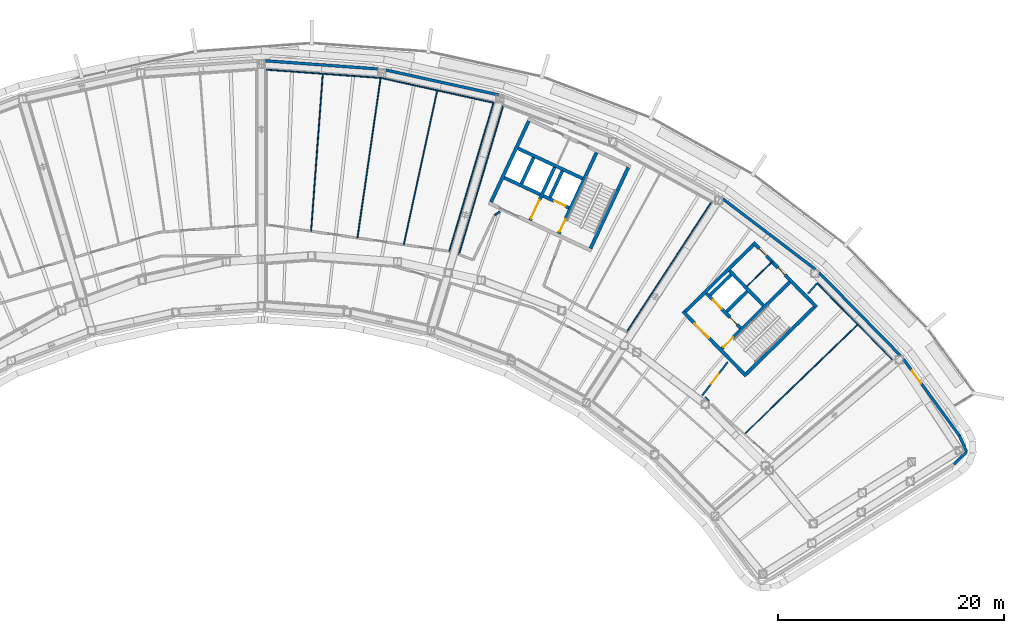
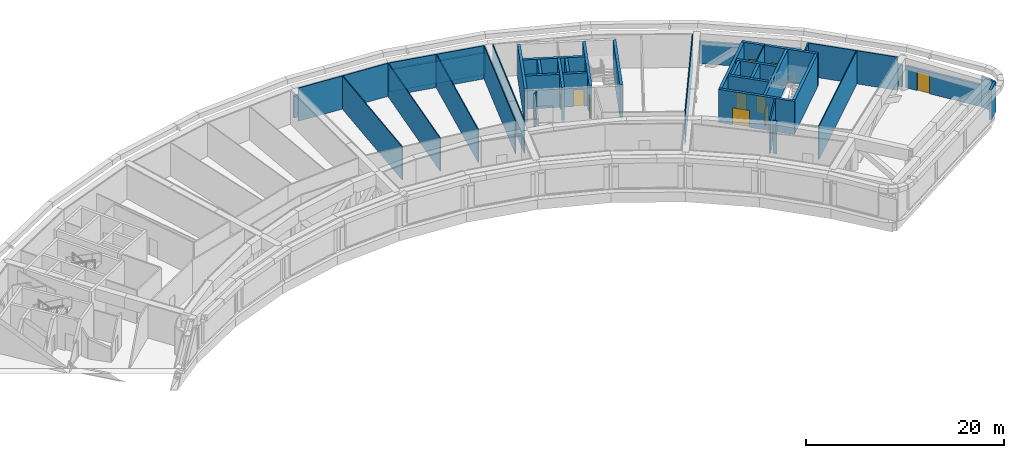
# One storey, part 11 of 25: 40 walls, 11 doors, 11 openings.
"""IFC4 building model written with IfcOpenShell, lengths in metres."""

from ifc_helpers import new_model, si_unit, direction, frame, frame_2d, origin, place, context, subcontext, project, spatial, rectangle, extrude, material, layer, layer_set, type_object, element, fill, save


model = new_model("IFC4")

# Units and contexts
model_context = context("Model", 3, precision=1e-05, world=origin(), true_north=direction((0.0, 1.0)))
body_context = subcontext(model_context, "Body", "Model", "MODEL_VIEW")
ifc_project = project(units=[si_unit("LENGTHUNIT", "METRE"), si_unit("AREAUNIT", "SQUARE_METRE"), si_unit("VOLUMEUNIT", "CUBIC_METRE"), si_unit("PLANEANGLEUNIT", "RADIAN"), si_unit("MASSUNIT", "GRAM", prefix="KILO")], contexts=[model_context])

# Site, building, storey
site_placement = place(None, origin())
site = spatial("IfcSite", under=ifc_project, at=site_placement, CompositionType="ELEMENT")
building_placement = place(site_placement, origin())
building = spatial("IfcBuilding", under=site, at=building_placement, Name="Tuul Gate Civic Tower", CompositionType="ELEMENT")
storey_placement = place(building_placement, frame((0.0, 0.0, 133.699951171875)))
storey = spatial("IfcBuildingStorey", under=building, at=storey_placement, Name="Plant and refuge floor 4", CompositionType="ELEMENT", Elevation=133.699951171875)

# Wall, opening, door
ifc_material_1 = material(Name="Concrete C50/60", Category="concrete")
ifc_layer_1 = layer(ifc_material_1, 0.300048828125)
ifc_layer_set_1 = layer_set([ifc_layer_1], Name="Concrete C50/60")
wall_type_1 = type_object("IfcWallType", Name="Core wall C50/60", PredefinedType="SHEAR", material=ifc_layer_set_1)
wall_1_placement = place(storey_placement, frame((48.22509765625, -18.327880859375, 0.0), z_axis=(0.0, 0.0, 1.0), x_axis=(-0.700021979774, 0.714121297703, 0.0)))
wall_1 = element("IfcWall", 1, at=wall_1_placement, inside=storey, type_object=wall_type_1, Name="Core wall", PredefinedType="SHEAR", context=body_context, shape_type="SweptSolid", body=[
    extrude(rectangle(XDim=8.0, YDim=0.300048828125, at=frame_2d((4.0, 0.0))), origin(), (0.0, 0.0, 1.0), 4.10009765625),
])
opening_1_placement = place(wall_1_placement, frame((4.72509765625, 0.0, 0.0)))
opening_1 = element("IfcOpeningElement", 2, at=opening_1_placement, cuts=wall_1, Name="Opening LB-E1-LOBBY-1", PredefinedType="OPENING", context=body_context, shape_type="SweptSolid", body=[
    extrude(rectangle(XDim=1.800048828125, YDim=2.10009765625, at=frame_2d((0.89990234375, 1.050048828125))), frame((0.0, 0.16015625, 0.0), z_axis=(0.0, -1.0, 0.0), x_axis=(1.0, 0.0, 0.0)), (0.0, 0.0, 1.0), 0.320068359375),
])
ifc_material_2 = material(Name="Steel", Category="steel")
door_type_1 = type_object("IfcDoorType", Name="Lobby door", OperationType="DOUBLE_DOOR_SINGLE_SWING", PredefinedType="DOOR", material=ifc_material_2)
door_1_placement = place(opening_1_placement, frame((1.800048828125, 0.0, 0.0), z_axis=(0.0, 0.0, 1.0), x_axis=(-1.0, 0.0, 0.0)))
door_1 = element("IfcDoor", 3, at=door_1_placement, inside=storey, type_object=door_type_1, Name="Lobby door E1-LOBBY", OperationType="DOUBLE_DOOR_SINGLE_SWING", OverallHeight=2.10009765625, OverallWidth=1.800048828125, PredefinedType="DOOR", context=body_context, shape_type="SweptSolid", body=[
    extrude(rectangle(XDim=1.800048828125, YDim=2.10009765625, at=frame_2d((0.900146484375, 1.050048828125))), frame((0.0, 0.02490234375, 0.0), z_axis=(0.0, -1.0, 0.0), x_axis=(1.0, 0.0, 0.0)), (0.0, 0.0, 1.0), 0.050048828125),
])
fill(opening_1, door_1)

# Wall, openings, doors
wall_2_placement = place(storey_placement, frame((47.701904296875, -14.079833984375, 0.0), z_axis=(0.0, 0.0, 1.0), x_axis=(-0.700002721075, 0.714140175657, 0.0)))
wall_2 = element("IfcWall", 4, at=wall_2_placement, inside=storey, type_object=wall_type_1, Name="Core wall", PredefinedType="SHEAR", context=body_context, shape_type="SweptSolid", body=[
    extrude(rectangle(XDim=4.300048828125, YDim=0.300048828125, at=frame_2d((2.14990234375, 0.0))), origin(), (0.0, 0.0, 1.0), 4.10009765625),
])
opening_2_placement = place(wall_2_placement, frame((0.425048828125, 0.0, 0.0)))
opening_2 = element("IfcOpeningElement", 5, at=opening_2_placement, cuts=wall_2, Name="Opening FB-E1A1", PredefinedType="OPENING", context=body_context, shape_type="SweptSolid", body=[
    extrude(rectangle(XDim=0.89990234375, YDim=2.10009765625, at=frame_2d((0.449951171875, 1.050048828125))), frame((0.0, 0.16015625, 0.0), z_axis=(0.0, -1.0, 0.0), x_axis=(1.0, 0.0, 0.0)), (0.0, 0.0, 1.0), 0.320068359375),
])
opening_3_placement = place(wall_2_placement, frame((2.375, 0.0, 0.0)))
opening_3 = element("IfcOpeningElement", 6, at=opening_3_placement, cuts=wall_2, Name="Opening LD-M3", PredefinedType="OPENING", context=body_context, shape_type="SweptSolid", body=[
    extrude(rectangle(XDim=1.10009765625, YDim=2.10009765625, at=frame_2d((0.550048828125, 1.050048828125))), frame((0.0, 0.16015625, 0.0), z_axis=(0.0, -1.0, 0.0), x_axis=(1.0, 0.0, 0.0)), (0.0, 0.0, 1.0), 0.320068359375),
])
ifc_material_3 = material(Name="Stainless steel", Category="steel")
door_type_2 = type_object("IfcDoorType", Name="Landing door", OperationType="DOUBLE_DOOR_SLIDING", PredefinedType="DOOR", material=ifc_material_3)
door_2_placement = place(opening_3_placement, origin())
door_2 = element("IfcDoor", 7, at=door_2_placement, inside=storey, type_object=door_type_2, Name="Mid-rise lift M3 landing door", OperationType="DOUBLE_DOOR_SLIDING", OverallHeight=2.10009765625, OverallWidth=1.10009765625, PredefinedType="DOOR", context=body_context, shape_type="SweptSolid", body=[
    extrude(rectangle(XDim=1.10009765625, YDim=2.10009765625, at=frame_2d((0.550048828125, 1.050048828125))), frame((0.0, 0.02490234375, 0.0), z_axis=(0.0, -1.0, 0.0), x_axis=(1.0, 0.0, 0.0)), (0.0, 0.0, 1.0), 0.050048828125),
])
fill(opening_3, door_2)
ifc_material_4 = material(Name="Steel", Category="steel")
door_type_3 = type_object("IfcDoorType", Name="Store door", OperationType="NOTDEFINED", PredefinedType="DOOR", material=ifc_material_4)
door_3_placement = place(opening_2_placement, frame((0.89990234375, 0.0, 0.0), z_axis=(0.0, 0.0, 1.0), x_axis=(-1.0, 0.0, 0.0)))
door_3 = element("IfcDoor", 8, at=door_3_placement, inside=storey, type_object=door_type_3, Name="Store door E1A1", OperationType="SINGLE_SWING_RIGHT", OverallHeight=2.10009765625, OverallWidth=0.89990234375, PredefinedType="DOOR", context=body_context, shape_type="SweptSolid", body=[
    extrude(rectangle(XDim=0.89990234375, YDim=2.10009765625, at=frame_2d((0.449951171875, 1.050048828125))), frame((0.0, 0.02490234375, 0.0), z_axis=(0.0, -1.0, 0.0), x_axis=(1.0, 0.0, 0.0)), (0.0, 0.0, 1.0), 0.050048828125),
])
fill(opening_2, door_3)

# Wall
wall_3_placement = place(storey_placement, frame((49.737060546875, -12.0849609375, 0.0), z_axis=(0.0, 0.0, 1.0), x_axis=(-0.700002721075, 0.714140175657, 0.0)))
element("IfcWall", 9, at=wall_3_placement, inside=storey, type_object=wall_type_1, Name="Core wall", PredefinedType="SHEAR", context=body_context, shape_type="SweptSolid", body=[
    extrude(rectangle(XDim=4.300048828125, YDim=0.300048828125, at=frame_2d((2.14990234375, 0.0))), origin(), (0.0, 0.0, 1.0), 4.10009765625),
])

# Wall, openings, doors
wall_4_placement = place(storey_placement, frame((54.43798828125, -12.23779296875, 0.0), z_axis=(0.0, 0.0, 1.0), x_axis=(-0.700021979774, 0.714121297703, 0.0)))
wall_4 = element("IfcWall", 10, at=wall_4_placement, inside=storey, type_object=wall_type_1, Name="Core wall", PredefinedType="SHEAR", context=body_context, shape_type="SweptSolid", body=[
    extrude(rectangle(XDim=8.0, YDim=0.300048828125, at=frame_2d((4.0, 0.0))), origin(), (0.0, 0.0, 1.0), 4.10009765625),
])
opening_4_placement = place(wall_4_placement, frame((3.987548828125, 0.0, 0.0)))
opening_4 = element("IfcOpeningElement", 11, at=opening_4_placement, cuts=wall_4, Name="Opening PB-D28", PredefinedType="OPENING", context=body_context, shape_type="SweptSolid", body=[
    extrude(rectangle(XDim=0.89990234375, YDim=2.10009765625, at=frame_2d((0.449951171875, 1.050048828125))), frame((0.0, 0.16015625, 0.0), z_axis=(0.0, -1.0, 0.0), x_axis=(1.0, 0.0, 0.0)), (0.0, 0.0, 1.0), 0.320068359375),
])
opening_5_placement = place(wall_4_placement, frame((6.362548828125, 0.0, 0.0)))
opening_5 = element("IfcOpeningElement", 12, at=opening_5_placement, cuts=wall_4, Name="Opening PB-D29", PredefinedType="OPENING", context=body_context, shape_type="SweptSolid", body=[
    extrude(rectangle(XDim=0.89990234375, YDim=2.10009765625, at=frame_2d((0.449951171875, 1.050048828125))), frame((0.0, 0.16015625, 0.0), z_axis=(0.0, -1.0, 0.0), x_axis=(1.0, 0.0, 0.0)), (0.0, 0.0, 1.0), 0.320068359375),
])
ifc_material_5 = material(Name="Timber door leaf", Category="wood")
door_type_4 = type_object("IfcDoorType", Name="Door D09", OperationType="NOTDEFINED", PredefinedType="DOOR", material=ifc_material_5)
door_4_placement = place(opening_4_placement, origin())
door_4 = element("IfcDoor", 13, at=door_4_placement, inside=storey, type_object=door_type_4, Name="Door PB-D28", OperationType="SINGLE_SWING_LEFT", OverallHeight=2.10009765625, OverallWidth=0.89990234375, PredefinedType="DOOR", context=body_context, shape_type="SweptSolid", body=[
    extrude(rectangle(XDim=0.89990234375, YDim=2.10009765625, at=frame_2d((0.449951171875, 1.050048828125))), frame((0.0, 0.02490234375, 0.0), z_axis=(0.0, -1.0, 0.0), x_axis=(1.0, 0.0, 0.0)), (0.0, 0.0, 1.0), 0.050048828125),
])
fill(opening_4, door_4)
door_5_placement = place(opening_5_placement, origin())
door_5 = element("IfcDoor", 14, at=door_5_placement, inside=storey, type_object=door_type_4, Name="Door PB-D29", OperationType="SINGLE_SWING_LEFT", OverallHeight=2.10009765625, OverallWidth=0.89990234375, PredefinedType="DOOR", context=body_context, shape_type="SweptSolid", body=[
    extrude(rectangle(XDim=0.89990234375, YDim=2.10009765625, at=frame_2d((0.449951171875, 1.050048828125))), frame((0.0, 0.02490234375, 0.0), z_axis=(0.0, -1.0, 0.0), x_axis=(1.0, 0.0, 0.0)), (0.0, 0.0, 1.0), 0.050048828125),
])
fill(opening_5, door_5)

# Wall
wall_5_placement = place(storey_placement, frame((48.227294921875, -18.115966796875, 0.0), z_axis=(0.0, 0.0, 1.0), x_axis=(0.714105315431, 0.700038283577, 0.0)))
element("IfcWall", 15, at=wall_5_placement, inside=storey, type_object=wall_type_1, Name="Core wall", PredefinedType="SHEAR", context=body_context, shape_type="SweptSolid", body=[
    extrude(rectangle(XDim=8.400146484375, YDim=0.300048828125, at=frame_2d((4.2001953125, 0.0))), origin(), (0.0, 0.0, 1.0), 4.10009765625),
])

# Wall, opening, door
wall_6_placement = place(storey_placement, frame((46.05712890625, -15.902099609375, 0.0), z_axis=(0.0, 0.0, 1.0), x_axis=(0.714134086973, 0.700008932674, 0.0)))
wall_6 = element("IfcWall", 16, at=wall_6_placement, inside=storey, type_object=wall_type_1, Name="Core wall", PredefinedType="SHEAR", context=body_context, shape_type="SweptSolid", body=[
    extrude(rectangle(XDim=8.400146484375, YDim=0.300048828125, at=frame_2d((4.2001953125, 0.0))), origin(), (0.0, 0.0, 1.0), 4.10009765625),
])
opening_6_placement = place(wall_6_placement, frame((0.199951171875, 0.0, 0.0)))
opening_6 = element("IfcOpeningElement", 17, at=opening_6_placement, cuts=wall_6, Name="Opening SD-ST-3", PredefinedType="OPENING", context=body_context, shape_type="SweptSolid", body=[
    extrude(rectangle(XDim=1.199951171875, YDim=2.10009765625, at=frame_2d((0.60009765625, 1.050048828125))), frame((0.0, 0.16015625, 0.0), z_axis=(0.0, -1.0, 0.0), x_axis=(1.0, 0.0, 0.0)), (0.0, 0.0, 1.0), 0.320068359375),
])
ifc_material_6 = material(Name="Steel", Category="steel")
door_type_5 = type_object("IfcDoorType", Name="Stair door", OperationType="NOTDEFINED", PredefinedType="DOOR", material=ifc_material_6)
door_6_placement = place(opening_6_placement, origin())
door_6 = element("IfcDoor", 18, at=door_6_placement, inside=storey, type_object=door_type_5, Name="Stair door ST-3", OperationType="SINGLE_SWING_LEFT", OverallHeight=2.10009765625, OverallWidth=1.199951171875, PredefinedType="DOOR", context=body_context, shape_type="SweptSolid", body=[
    extrude(rectangle(XDim=1.199951171875, YDim=2.10009765625, at=frame_2d((0.60009765625, 1.050048828125))), frame((0.0, 0.02490234375, 0.0), z_axis=(0.0, -1.0, 0.0), x_axis=(1.0, 0.0, 0.0)), (0.0, 0.0, 1.0), 0.050048828125),
])
fill(opening_6, door_6)

# Walls
wall_7_placement = place(storey_placement, frame((46.47900390625, -12.617919921875, 0.0), z_axis=(0.0, 0.0, 1.0), x_axis=(0.71410944159, 0.700034074479, 0.0)))
element("IfcWall", 19, at=wall_7_placement, inside=storey, type_object=wall_type_1, Name="Core wall", PredefinedType="SHEAR", context=body_context, shape_type="SweptSolid", body=[
    extrude(rectangle(XDim=2.5498046875, YDim=0.300048828125, at=frame_2d((1.27490234375, 0.0))), origin(), (0.0, 0.0, 1.0), 4.10009765625),
])
wall_8_placement = place(storey_placement, frame((45.0439453125, -11.154052734375, 0.0), z_axis=(0.0, 0.0, 1.0), x_axis=(0.714108498262, 0.700035036773, 0.0)))
element("IfcWall", 20, at=wall_8_placement, inside=storey, type_object=wall_type_1, Name="Core wall", PredefinedType="SHEAR", context=body_context, shape_type="SweptSolid", body=[
    extrude(rectangle(XDim=2.550048828125, YDim=0.300048828125, at=frame_2d((1.27490234375, 0.0))), origin(), (0.0, 0.0, 1.0), 4.10009765625),
])
wall_9_placement = place(storey_placement, frame((42.837158203125, -12.616943359375, 0.0), z_axis=(0.0, 0.0, 1.0), x_axis=(0.714119844755, 0.700023461983, 0.0)))
element("IfcWall", 21, at=wall_9_placement, inside=storey, type_object=wall_type_1, Name="Core wall", PredefinedType="SHEAR", context=body_context, shape_type="SweptSolid", body=[
    extrude(rectangle(XDim=8.39990234375, YDim=0.300048828125, at=frame_2d((4.199951171875, 0.0))), origin(), (0.0, 0.0, 1.0), 4.10009765625),
])

# Wall, opening, door
wall_10_placement = place(storey_placement, frame((32.545654296875, -3.456787109375, 0.0), z_axis=(0.0, 0.0, 1.0), x_axis=(-0.906300357825, 0.42263419337, 0.0)))
wall_10 = element("IfcWall", 22, at=wall_10_placement, inside=storey, type_object=wall_type_1, Name="Core wall", PredefinedType="SHEAR", context=body_context, shape_type="SweptSolid", body=[
    extrude(rectangle(XDim=2.500244140625, YDim=0.300048828125, at=frame_2d((1.25, 0.0))), origin(), (0.0, 0.0, 1.0), 4.10009765625),
])
opening_7_placement = place(wall_10_placement, frame((0.324951171875, 0.0, 0.0)))
opening_7 = element("IfcOpeningElement", 23, at=opening_7_placement, cuts=wall_10, Name="Opening LD-FF-2", PredefinedType="OPENING", context=body_context, shape_type="SweptSolid", body=[
    extrude(rectangle(XDim=1.10009765625, YDim=2.10009765625, at=frame_2d((0.550048828125, 1.050048828125))), frame((0.0, 0.16015625, 0.0), z_axis=(0.0, -1.0, 0.0), x_axis=(1.0, 0.0, 0.0)), (0.0, 0.0, 1.0), 0.320068359375),
])
door_7_placement = place(opening_7_placement, origin())
door_7 = element("IfcDoor", 24, at=door_7_placement, inside=storey, type_object=door_type_2, Name="Fire-fighting lift FF-2 landing door", OperationType="DOUBLE_DOOR_SLIDING", OverallHeight=2.10009765625, OverallWidth=1.10009765625, PredefinedType="DOOR", context=body_context, shape_type="SweptSolid", body=[
    extrude(rectangle(XDim=1.10009765625, YDim=2.10009765625, at=frame_2d((0.550048828125, 1.050048828125))), frame((0.0, 0.02490234375, 0.0), z_axis=(0.0, -1.0, 0.0), x_axis=(1.0, 0.0, 0.0)), (0.0, 0.0, 1.0), 0.050048828125),
])
fill(opening_7, door_7)

# Walls
wall_11_placement = place(storey_placement, frame((30.0078125, -2.2734375, 0.0), z_axis=(0.0, 0.0, 1.0), x_axis=(-0.90630071767, 0.422633421716, 0.0)))
element("IfcWall", 25, at=wall_11_placement, inside=storey, type_object=wall_type_1, Name="Core wall", PredefinedType="SHEAR", context=body_context, shape_type="SweptSolid", body=[
    extrude(rectangle(XDim=3.5, YDim=0.300048828125, at=frame_2d((1.75, 0.0))), origin(), (0.0, 0.0, 1.0), 4.10009765625),
])
wall_12_placement = place(storey_placement, frame((33.75, -0.873779296875, 0.0), z_axis=(0.0, 0.0, 1.0), x_axis=(-0.906300917592, 0.422632992999, 0.0)))
element("IfcWall", 26, at=wall_12_placement, inside=storey, type_object=wall_type_1, Name="Core wall", PredefinedType="SHEAR", context=body_context, shape_type="SweptSolid", body=[
    extrude(rectangle(XDim=6.300048828125, YDim=0.300048828125, at=frame_2d((3.14990234375, 0.0))), origin(), (0.0, 0.0, 1.0), 4.10009765625),
])
wall_13_placement = place(storey_placement, frame((34.455810546875, -7.05078125, 0.0), z_axis=(0.0, 0.0, 1.0), x_axis=(0.422570768258, 0.906329932096, 0.0)))
element("IfcWall", 27, at=wall_13_placement, inside=storey, type_object=wall_type_1, Name="Core wall", PredefinedType="SHEAR", context=body_context, shape_type="SweptSolid", body=[
    extrude(rectangle(XDim=7.900146484375, YDim=0.300048828125, at=frame_2d((3.9501953125, 0.0))), origin(), (0.0, 0.0, 1.0), 4.10009765625),
])

# Wall, opening, door
wall_14_placement = place(storey_placement, frame((31.646240234375, -5.740478515625, 0.0), z_axis=(0.0, 0.0, 1.0), x_axis=(0.422582604137, 0.906324413596, 0.0)))
wall_14 = element("IfcWall", 28, at=wall_14_placement, inside=storey, type_object=wall_type_1, Name="Core wall", PredefinedType="SHEAR", context=body_context, shape_type="SweptSolid", body=[
    extrude(rectangle(XDim=7.89990234375, YDim=0.300048828125, at=frame_2d((3.949951171875, 0.0))), origin(), (0.0, 0.0, 1.0), 4.10009765625),
])
opening_8_placement = place(wall_14_placement, frame((0.199951171875, 0.0, 0.0)))
opening_8 = element("IfcOpeningElement", 29, at=opening_8_placement, cuts=wall_14, Name="Opening SD-ST-4", PredefinedType="OPENING", context=body_context, shape_type="SweptSolid", body=[
    extrude(rectangle(XDim=1.199951171875, YDim=2.10009765625, at=frame_2d((0.60009765625, 1.050048828125))), frame((0.0, 0.16015625, 0.0), z_axis=(0.0, -1.0, 0.0), x_axis=(1.0, 0.0, 0.0)), (0.0, 0.0, 1.0), 0.320068359375),
])
door_8_placement = place(opening_8_placement, origin())
door_8 = element("IfcDoor", 30, at=door_8_placement, inside=storey, type_object=door_type_5, Name="Stair door ST-4", OperationType="SINGLE_SWING_LEFT", OverallHeight=2.10009765625, OverallWidth=1.199951171875, PredefinedType="DOOR", context=body_context, shape_type="SweptSolid", body=[
    extrude(rectangle(XDim=1.199951171875, YDim=2.10009765625, at=frame_2d((0.60009765625, 1.050048828125))), frame((0.0, 0.02490234375, 0.0), z_axis=(0.0, -1.0, 0.0), x_axis=(1.0, 0.0, 0.0)), (0.0, 0.0, 1.0), 0.050048828125),
])
fill(opening_8, door_8)

# Wall
wall_15_placement = place(storey_placement, frame((30.886962890625, -2.517822265625, 0.0), z_axis=(0.0, 0.0, 1.0), x_axis=(0.422612891016, 0.906310291427, 0.0)))
element("IfcWall", 31, at=wall_15_placement, inside=storey, type_object=wall_type_1, Name="Core wall", PredefinedType="SHEAR", context=body_context, shape_type="SweptSolid", body=[
    extrude(rectangle(XDim=2.550048828125, YDim=0.300048828125, at=frame_2d((1.27490234375, 0.0))), origin(), (0.0, 0.0, 1.0), 4.10009765625),
])

# Wall, opening, door
wall_16_placement = place(storey_placement, frame((29.108642578125, -4.557373046875, 0.0), z_axis=(0.0, 0.0, 1.0), x_axis=(0.422566235356, 0.90633204552, 0.0)))
wall_16 = element("IfcWall", 32, at=wall_16_placement, inside=storey, type_object=wall_type_1, Name="Core wall", PredefinedType="SHEAR", context=body_context, shape_type="SweptSolid", body=[
    extrude(rectangle(XDim=5.150146484375, YDim=0.300048828125, at=frame_2d((2.5751953125, 0.0))), origin(), (0.0, 0.0, 1.0), 4.10009765625),
])
opening_9_placement = place(wall_16_placement, frame((0.175048828125, 0.0, 0.0)))
opening_9 = element("IfcOpeningElement", 33, at=opening_9_placement, cuts=wall_16, Name="Opening LB-E3-FLOBBY-1", PredefinedType="OPENING", context=body_context, shape_type="SweptSolid", body=[
    extrude(rectangle(XDim=1.800048828125, YDim=2.10009765625, at=frame_2d((0.89990234375, 1.050048828125))), frame((0.0, 0.16015625, 0.0), z_axis=(0.0, -1.0, 0.0), x_axis=(1.0, 0.0, 0.0)), (0.0, 0.0, 1.0), 0.320068359375),
])
door_9_placement = place(opening_9_placement, frame((1.800048828125, 0.0, 0.0), z_axis=(0.0, 0.0, 1.0), x_axis=(-1.0, 0.0, 0.0)))
door_9 = element("IfcDoor", 34, at=door_9_placement, inside=storey, type_object=door_type_1, Name="Lobby door E3-FLOBBY", OperationType="DOUBLE_DOOR_SINGLE_SWING", OverallHeight=2.10009765625, OverallWidth=1.800048828125, PredefinedType="DOOR", context=body_context, shape_type="SweptSolid", body=[
    extrude(rectangle(XDim=1.800048828125, YDim=2.10009765625, at=frame_2d((0.900146484375, 1.050048828125))), frame((0.0, 0.02490234375, 0.0), z_axis=(0.0, -1.0, 0.0), x_axis=(1.0, 0.0, 0.0)), (0.0, 0.0, 1.0), 0.050048828125),
])
fill(opening_9, door_9)

# Walls
wall_17_placement = place(storey_placement, frame((28.349365234375, -1.33447265625, 0.0), z_axis=(0.0, 0.0, 1.0), x_axis=(0.422612891016, 0.906310291427, 0.0)))
element("IfcWall", 35, at=wall_17_placement, inside=storey, type_object=wall_type_1, Name="Core wall", PredefinedType="SHEAR", context=body_context, shape_type="SweptSolid", body=[
    extrude(rectangle(XDim=2.550048828125, YDim=0.300048828125, at=frame_2d((1.27490234375, 0.0))), origin(), (0.0, 0.0, 1.0), 4.10009765625),
])
wall_18_placement = place(storey_placement, frame((25.66455078125, -2.951416015625, 0.0), z_axis=(0.0, 0.0, 1.0), x_axis=(0.422582604137, 0.906324413596, 0.0)))
element("IfcWall", 36, at=wall_18_placement, inside=storey, type_object=wall_type_1, Name="Core wall", PredefinedType="SHEAR", context=body_context, shape_type="SweptSolid", body=[
    extrude(rectangle(XDim=7.89990234375, YDim=0.300048828125, at=frame_2d((3.949951171875, 0.0))), origin(), (0.0, 0.0, 1.0), 4.10009765625),
])

# Wall, opening, door
ifc_material_7 = material(Name="Gypsum board partition")
ifc_layer_2 = layer(ifc_material_7, 0.14990234375)
ifc_layer_set_2 = layer_set([ifc_layer_2], Name="Gypsum board partition")
wall_type_2 = type_object("IfcWallType", Name="Corridor wall P150", PredefinedType="PARTITIONING", material=ifc_layer_set_2)
wall_19_placement = place(storey_placement, frame((44.32275390625, -20.04345703125, 0.0), z_axis=(0.0, 0.0, 1.0), x_axis=(0.605593087365, 0.795774473413, 0.0)))
wall_19 = element("IfcWall", 37, at=wall_19_placement, inside=storey, type_object=wall_type_2, Name="p024", PredefinedType="PARTITIONING", context=body_context, shape_type="SweptSolid", body=[
    extrude(rectangle(XDim=3.7265625, YDim=0.14990234375, at=frame_2d((1.86328125, 0.0))), origin(), (0.0, 0.0, 1.0), 4.10009765625),
])
opening_10_placement = place(wall_19_placement, frame((1.313232421875, 0.0, 0.0)))
opening_10 = element("IfcOpeningElement", 38, at=opening_10_placement, cuts=wall_19, Name="Opening PB-D051", PredefinedType="OPENING", context=body_context, shape_type="SweptSolid", body=[
    extrude(rectangle(XDim=1.10009765625, YDim=2.10009765625, at=frame_2d((0.550048828125, 1.050048828125))), frame((0.0, 0.0849609375, 0.0), z_axis=(0.0, -1.0, 0.0), x_axis=(1.0, 0.0, 0.0)), (0.0, 0.0, 1.0), 0.169921875),
])
ifc_material_8 = material(Name="Timber door leaf", Category="wood")
door_type_6 = type_object("IfcDoorType", Name="Door D11", OperationType="NOTDEFINED", PredefinedType="DOOR", material=ifc_material_8)
door_10_placement = place(opening_10_placement, frame((1.10009765625, 0.0, 0.0), z_axis=(0.0, 0.0, 1.0), x_axis=(-1.0, 0.0, 0.0)))
door_10 = element("IfcDoor", 39, at=door_10_placement, inside=storey, type_object=door_type_6, Name="Door PB-D05", OperationType="SINGLE_SWING_LEFT", OverallHeight=2.10009765625, OverallWidth=1.10009765625, PredefinedType="DOOR", context=body_context, shape_type="SweptSolid", body=[
    extrude(rectangle(XDim=1.10009765625, YDim=2.10009765625, at=frame_2d((0.550048828125, 1.050048828125))), frame((0.0, 0.02490234375, 0.0), z_axis=(0.0, -1.0, 0.0), x_axis=(1.0, 0.0, 0.0)), (0.0, 0.0, 1.0), 0.050048828125),
])
fill(opening_10, door_10)

# Walls
wall_20_placement = place(storey_placement, frame((53.67138671875, -11.02734375, 0.0), z_axis=(0.0, 0.0, 1.0), x_axis=(0.669086430859, 0.743184598898, 0.0)))
element("IfcWall", 40, at=wall_20_placement, inside=storey, type_object=wall_type_2, Name="p025", PredefinedType="PARTITIONING", context=body_context, shape_type="SweptSolid", body=[
    extrude(rectangle(XDim=1.218994140625, YDim=0.14990234375, at=frame_2d((0.609375, 0.0))), origin(), (0.0, 0.0, 1.0), 4.10009765625),
])
wall_21_placement = place(storey_placement, frame((25.985595703125, -4.103515625, 0.0), z_axis=(0.0, 0.0, 1.0), x_axis=(0.823679447838, 0.56705570027, 0.0)))
element("IfcWall", 41, at=wall_21_placement, inside=storey, type_object=wall_type_2, Name="p032", PredefinedType="PARTITIONING", context=body_context, shape_type="SweptSolid", body=[
    extrude(rectangle(XDim=0.53076171875, YDim=0.14990234375, at=frame_2d((0.265380859375, 0.0))), origin(), (0.0, 0.0, 1.0), 4.10009765625),
])
ifc_material_9 = material(Name="Precast concrete C40/50", Category="concrete")
ifc_layer_3 = layer(ifc_material_9, 0.25)
ifc_layer_set_3 = layer_set([ifc_layer_3], Name="Precast concrete C40/50")
wall_type_3 = type_object("IfcWallType", Name="External wall", PredefinedType="STANDARD", material=ifc_layer_set_3)
wall_22_placement = place(storey_placement, frame((66.564453125, -26.109619140625, 0.0), z_axis=(0.0, 0.0, 1.0), x_axis=(0.722237038237, 0.691645617783, 0.0)))
element("IfcWall", 42, at=wall_22_placement, inside=storey, type_object=wall_type_3, Name="External wall", PredefinedType="STANDARD", context=body_context, shape_type="SweptSolid", body=[
    extrude(rectangle(XDim=1.572265625, YDim=0.25, at=frame_2d((0.7861328125, 0.0))), origin(), (0.0, 0.0, 1.0), 3.75),
])
wall_23_placement = place(storey_placement, frame((67.699951171875, -25.022216796875, 0.0), z_axis=(0.0, 0.0, 1.0), x_axis=(-0.413521925612, 0.910494160903, 0.0)))
element("IfcWall", 43, at=wall_23_placement, inside=storey, type_object=wall_type_3, Name="External wall", PredefinedType="STANDARD", context=body_context, shape_type="SweptSolid", body=[
    extrude(rectangle(XDim=1.571044921875, YDim=0.25, at=frame_2d((0.78564453125, 0.0))), origin(), (0.0, 0.0, 1.0), 3.75),
])

# Wall, opening, door
ifc_material_10 = material(Name="Precast concrete C40/50", Category="concrete")
ifc_layer_4 = layer(ifc_material_10, 0.25)
ifc_layer_set_4 = layer_set([ifc_layer_4], Name="Precast concrete C40/50")
wall_type_4 = type_object("IfcWallType", Name="External wall 2700 HIGH", PredefinedType="STANDARD", material=ifc_layer_set_4)
wall_24_placement = place(storey_placement, frame((67.06298828125, -23.61376953125, 0.0), z_axis=(0.0, 0.0, 1.0), x_axis=(-0.589761454052, 0.807577505453, 0.0)))
wall_24 = element("IfcWall", 44, at=wall_24_placement, inside=storey, type_object=wall_type_4, Name="External wall", PredefinedType="STANDARD", context=body_context, shape_type="SweptSolid", body=[
    extrude(rectangle(XDim=8.422119140625, YDim=0.25, at=frame_2d((4.2109375, 0.0))), origin(), (0.0, 0.0, 1.0), 2.699951171875),
])
opening_11_placement = place(wall_24_placement, frame((5.752685546875, 0.0, 0.0)))
opening_11 = element("IfcOpeningElement", 45, at=opening_11_placement, cuts=wall_24, Name="Opening TD", PredefinedType="OPENING", context=body_context, shape_type="SweptSolid", body=[
    extrude(rectangle(XDim=1.39990234375, YDim=2.39990234375, at=frame_2d((0.699951171875, 1.199951171875))), frame((0.0, 0.135009765625, 0.0), z_axis=(0.0, -1.0, 0.0), x_axis=(1.0, 0.0, 0.0)), (0.0, 0.0, 1.0), 0.27001953125),
])
ifc_material_11 = material(Name="Glazed aluminium", Category="aluminium")
door_type_7 = type_object("IfcDoorType", Name="Terrace door", OperationType="DOUBLE_DOOR_SINGLE_SWING", PredefinedType="DOOR", material=ifc_material_11)
door_11_placement = place(opening_11_placement, origin())
door_11 = element("IfcDoor", 46, at=door_11_placement, inside=storey, type_object=door_type_7, Name="Terrace door", OperationType="DOUBLE_DOOR_SINGLE_SWING", OverallHeight=2.39990234375, OverallWidth=1.39990234375, PredefinedType="DOOR", context=body_context, shape_type="SweptSolid", body=[
    extrude(rectangle(XDim=1.39990234375, YDim=2.39990234375, at=frame_2d((0.699951171875, 1.199951171875))), frame((0.0, 0.02490234375, 0.0), z_axis=(0.0, -1.0, 0.0), x_axis=(1.0, 0.0, 0.0)), (0.0, 0.0, 1.0), 0.050048828125),
])
fill(opening_11, door_11)

# Walls
wall_25_placement = place(storey_placement, frame((61.858154296875, -16.533935546875, 0.0), z_axis=(0.0, 0.0, 1.0), x_axis=(-0.700045198442, 0.714098536715, 0.0)))
element("IfcWall", 47, at=wall_25_placement, inside=storey, type_object=wall_type_4, Name="External wall", PredefinedType="STANDARD", context=body_context, shape_type="SweptSolid", body=[
    extrude(rectangle(XDim=10.336669921875, YDim=0.25, at=frame_2d((5.16845703125, 0.0))), origin(), (0.0, 0.0, 1.0), 2.699951171875),
])
wall_26_placement = place(storey_placement, frame((54.347900390625, -8.908935546875, 0.0), z_axis=(0.0, 0.0, 1.0), x_axis=(-0.795610108216, 0.605809009264, 0.0)))
element("IfcWall", 48, at=wall_26_placement, inside=storey, type_object=wall_type_4, Name="External wall", PredefinedType="STANDARD", context=body_context, shape_type="SweptSolid", body=[
    extrude(rectangle(XDim=10.334228515625, YDim=0.25, at=frame_2d((5.1669921875, 0.0))), origin(), (0.0, 0.0, 1.0), 2.699951171875),
])
wall_27_placement = place(storey_placement, frame((26.374755859375, 6.511962890625, 0.0), z_axis=(0.0, 0.0, 1.0), x_axis=(-0.976563060816, 0.215231475971, 0.0)))
element("IfcWall", 49, at=wall_27_placement, inside=storey, type_object=wall_type_4, Name="External wall", PredefinedType="STANDARD", context=body_context, shape_type="SweptSolid", body=[
    extrude(rectangle(XDim=10.24169921875, YDim=0.25, at=frame_2d((5.120849609375, 0.0))), origin(), (0.0, 0.0, 1.0), 2.699951171875),
])
wall_28_placement = place(storey_placement, frame((15.69677734375, 8.81005859375, 0.0), z_axis=(0.0, 0.0, 1.0), x_axis=(-0.99738831502, 0.072225681449, 0.0)))
element("IfcWall", 50, at=wall_28_placement, inside=storey, type_object=wall_type_4, Name="External wall", PredefinedType="STANDARD", context=body_context, shape_type="SweptSolid", body=[
    extrude(rectangle(XDim=9.998779296875, YDim=0.25, at=frame_2d((4.99951171875, 0.0))), origin(), (0.0, 0.0, 1.0), 2.699951171875),
])
ifc_material_12 = material(Name="Gypsum board partition")
ifc_layer_5 = layer(ifc_material_12, 0.10009765625)
ifc_layer_set_5 = layer_set([ifc_layer_5], Name="Gypsum board partition")
wall_type_5 = type_object("IfcWallType", Name="Partition P100", PredefinedType="PARTITIONING", material=ifc_layer_set_5)
wall_29_placement = place(storey_placement, frame((48.05419921875, -23.451171875, 0.0), z_axis=(0.0, 0.0, 1.0), x_axis=(0.719341643854, 0.694656461438, 0.0)))
element("IfcWall", 51, at=wall_29_placement, inside=storey, type_object=wall_type_5, Name="p022", PredefinedType="PARTITIONING", context=body_context, shape_type="SweptSolid", body=[
    extrude(rectangle(XDim=13.92529296875, YDim=0.10009765625, at=frame_2d((6.962646484375, 0.0))), origin(), (0.0, 0.0, 1.0), 4.10009765625),
])
wall_30_placement = place(storey_placement, frame((17.956787109375, -6.714111328125, 0.0), z_axis=(0.0, 0.0, 1.0), x_axis=(0.212181190615, 0.977230342524, 0.0)))
element("IfcWall", 52, at=wall_30_placement, inside=storey, type_object=wall_type_5, Name="p037", PredefinedType="PARTITIONING", context=body_context, shape_type="SweptSolid", body=[
    extrude(rectangle(XDim=13.952392578125, YDim=0.10009765625, at=frame_2d((6.97607421875, 0.0))), origin(), (0.0, 0.0, 1.0), 4.10009765625),
])
wall_31_placement = place(storey_placement, frame((13.86279296875, -6.11962890625, 0.0), z_axis=(0.0, 0.0, 1.0), x_axis=(0.143500398539, 0.989650259243, 0.0)))
element("IfcWall", 53, at=wall_31_placement, inside=storey, type_object=wall_type_5, Name="p039", PredefinedType="PARTITIONING", context=body_context, shape_type="SweptSolid", body=[
    extrude(rectangle(XDim=14.284423828125, YDim=0.10009765625, at=frame_2d((7.14208984375, 0.0))), origin(), (0.0, 0.0, 1.0), 4.10009765625),
])
wall_32_placement = place(storey_placement, frame((9.76904296875, -5.525146484375, 0.0), z_axis=(0.0, 0.0, 1.0), x_axis=(0.074113415526, 0.997249819072, 0.0)))
element("IfcWall", 54, at=wall_32_placement, inside=storey, type_object=wall_type_5, Name="p040", PredefinedType="PARTITIONING", context=body_context, shape_type="SweptSolid", body=[
    extrude(rectangle(XDim=13.95068359375, YDim=0.10009765625, at=frame_2d((6.975341796875, 0.0))), origin(), (0.0, 0.0, 1.0), 4.10009765625),
])
wall_33_placement = place(storey_placement, frame((54.487060546875, -10.121337890625, 0.0), z_axis=(0.0, 0.0, 1.0), x_axis=(0.700001237304, -0.714141630052, 0.0)))
element("IfcWall", 55, at=wall_33_placement, inside=storey, type_object=wall_type_5, Name="p067", PredefinedType="PARTITIONING", context=body_context, shape_type="SweptSolid", body=[
    extrude(rectangle(XDim=9.427001953125, YDim=0.10009765625, at=frame_2d((4.71337890625, 0.0))), origin(), (0.0, 0.0, 1.0), 4.10009765625),
])
wall_34_placement = place(storey_placement, frame((44.89453125, -20.478759765625, 0.0), z_axis=(0.0, 0.0, 1.0), x_axis=(-0.700053868945, 0.714090036743, 0.0)))
element("IfcWall", 56, at=wall_34_placement, inside=storey, type_object=wall_type_5, Name="p069", PredefinedType="PARTITIONING", context=body_context, shape_type="SweptSolid", body=[
    extrude(rectangle(XDim=0.41748046875, YDim=0.10009765625, at=frame_2d((0.208740234375, 0.0))), origin(), (0.0, 0.0, 1.0), 4.10009765625),
])
wall_35_placement = place(storey_placement, frame((45.134765625, -2.9501953125, 0.0), z_axis=(0.0, 0.0, 1.0), x_axis=(-0.546716228444, -0.837317959652, 0.0)))
element("IfcWall", 57, at=wall_35_placement, inside=storey, type_object=wall_type_5, Name="p078", PredefinedType="PARTITIONING", context=body_context, shape_type="SweptSolid", body=[
    extrude(rectangle(XDim=13.6982421875, YDim=0.10009765625, at=frame_2d((6.84912109375, 0.0))), origin(), (0.0, 0.0, 1.0), 4.10009765625),
])
wall_36_placement = place(storey_placement, frame((22.828125, -7.5908203125, 0.0), z_axis=(0.0, 0.0, 1.0), x_axis=(0.285208678076, 0.958465445361, 0.0)))
element("IfcWall", 58, at=wall_36_placement, inside=storey, type_object=wall_type_5, Name="p079", PredefinedType="PARTITIONING", context=body_context, shape_type="SweptSolid", body=[
    extrude(rectangle(XDim=13.731201171875, YDim=0.10009765625, at=frame_2d((6.86572265625, 0.0))), origin(), (0.0, 0.0, 1.0), 4.10009765625),
])
wall_37_placement = place(storey_placement, frame((15.9580078125, 8.013427734375, 0.0), z_axis=(0.0, 0.0, 1.0), x_axis=(0.97657049866, -0.215197725699, 0.0)))
element("IfcWall", 59, at=wall_37_placement, inside=storey, type_object=wall_type_5, Name="p087", PredefinedType="PARTITIONING", context=body_context, shape_type="SweptSolid", body=[
    extrude(rectangle(XDim=10.16162109375, YDim=0.10009765625, at=frame_2d((5.080810546875, 0.0))), origin(), (0.0, 0.0, 1.0), 4.10009765625),
])
wall_38_placement = place(storey_placement, frame((25.881591796875, 5.82666015625, 0.0), z_axis=(0.0, 0.0, 1.0), x_axis=(-0.285197829206, -0.958468673571, 0.0)))
element("IfcWall", 60, at=wall_38_placement, inside=storey, type_object=wall_type_5, Name="p088", PredefinedType="PARTITIONING", context=body_context, shape_type="SweptSolid", body=[
    extrude(rectangle(XDim=13.693115234375, YDim=0.10009765625, at=frame_2d((6.8466796875, 0.0))), origin(), (0.0, 0.0, 1.0), 4.10009765625),
])
wall_39_placement = place(storey_placement, frame((5.823974609375, 8.748291015625, 0.0), z_axis=(0.0, 0.0, 1.0), x_axis=(0.997382046776, -0.072312189631, 0.0)))
element("IfcWall", 61, at=wall_39_placement, inside=storey, type_object=wall_type_5, Name="p090", PredefinedType="PARTITIONING", context=body_context, shape_type="SweptSolid", body=[
    extrude(rectangle(XDim=10.114990234375, YDim=0.10009765625, at=frame_2d((5.0576171875, 0.0))), origin(), (0.0, 0.0, 1.0), 4.10009765625),
])
wall_40_placement = place(storey_placement, frame((48.28662109375, -10.390869140625, 0.0), z_axis=(0.0, 0.0, 1.0), x_axis=(0.714159293908, 0.699983216173, 0.0)))
element("IfcWall", 62, at=wall_40_placement, inside=storey, type_object=wall_type_5, Name="bE1-BAND-0", PredefinedType="PARTITIONING", context=body_context, shape_type="SweptSolid", body=[
    extrude(rectangle(XDim=3.099853515625, YDim=0.10009765625, at=frame_2d((1.5498046875, 0.0))), origin(), (0.0, 0.0, 1.0), 4.10009765625),
])

save(model, "model.ifc")
